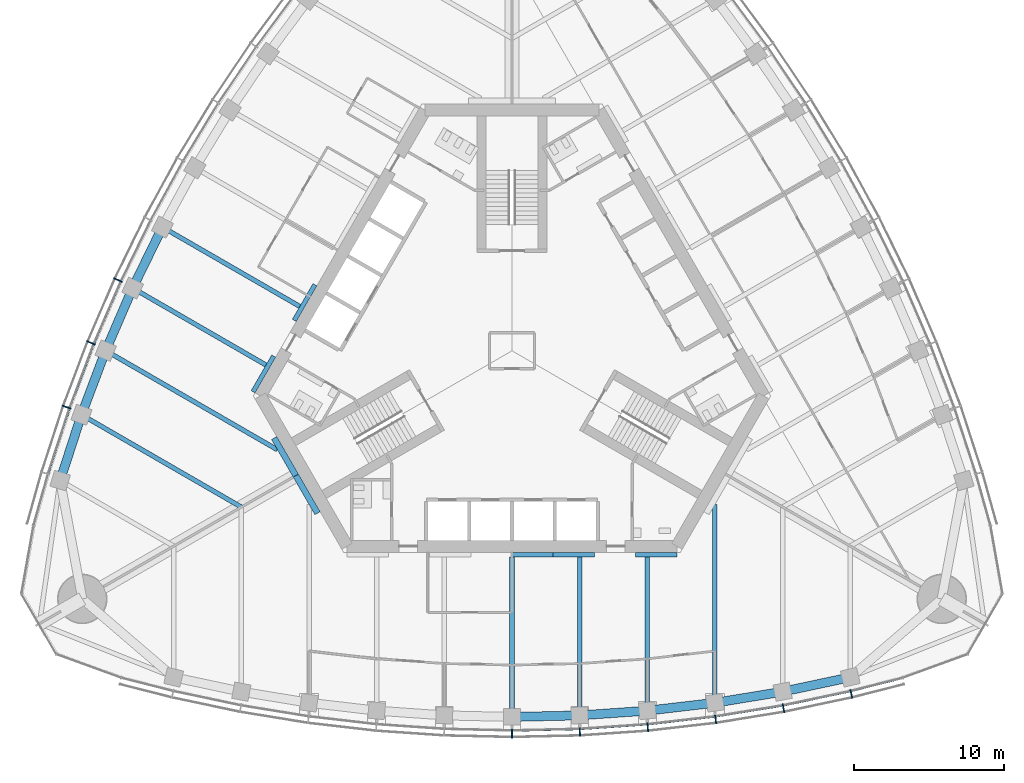
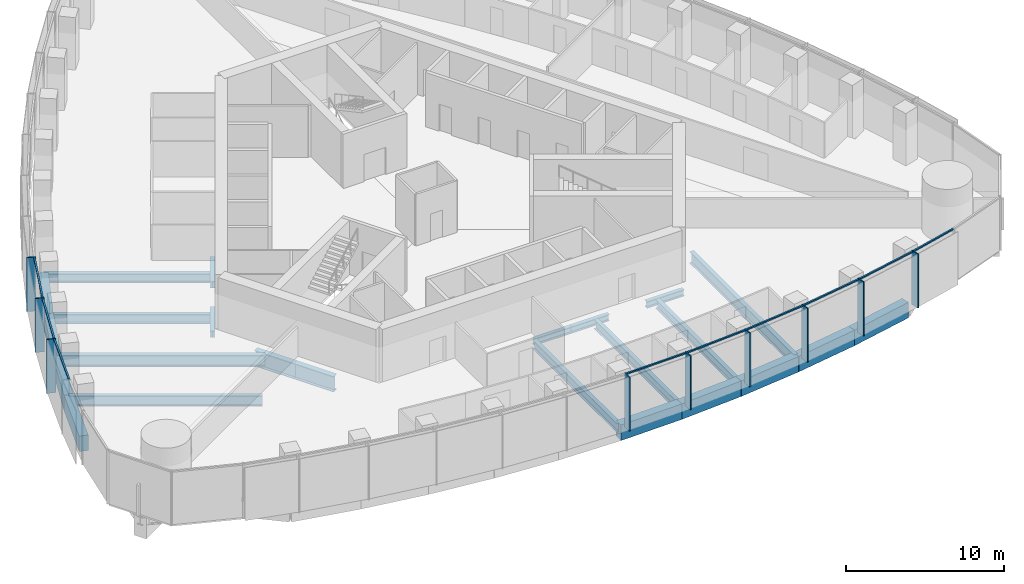
# One storey, part 3 of 20: 24 beams, 18 members, 2 elements without a shape of their own.
"""IFC4 building model written with IfcOpenShell, lengths in metres."""

from ifc_helpers import new_model, si_unit, direction, frame, origin, origin_2d, place, context, subcontext, project, spatial, rectangle, i_section, extrude, material, material_profile, profile_set, type_object, element, aggregate, save


model = new_model("IFC4")

# Units and contexts
model_context = context("Model", 3, precision=1e-05, world=origin(), true_north=direction((0.0, 1.0)))
body_context = subcontext(model_context, "Body", "Model", "MODEL_VIEW")
ifc_project = project(units=[si_unit("LENGTHUNIT", "METRE"), si_unit("AREAUNIT", "SQUARE_METRE"), si_unit("VOLUMEUNIT", "CUBIC_METRE"), si_unit("PLANEANGLEUNIT", "RADIAN"), si_unit("MASSUNIT", "GRAM", prefix="KILO")], contexts=[model_context])

# Site, building, storey
site_placement = place(None, origin())
site = spatial("IfcSite", under=ifc_project, at=site_placement, CompositionType="ELEMENT")
building_placement = place(site_placement, origin())
building = spatial("IfcBuilding", under=site, at=building_placement, Name="Trefoil Bronze Tower", CompositionType="ELEMENT")
storey_placement = place(building_placement, frame((0.0, 0.0, 210.699951171875)))
storey = spatial("IfcBuildingStorey", under=building, at=storey_placement, Name="L48", CompositionType="ELEMENT", Elevation=210.699951171875)

# Curtain wall, members
ifc_material_1 = material(Name="Tinted solar-control glass", Category="glass")
curtain_wall_type = type_object("IfcCurtainWallType", Name="Bronze office curtain wall", PredefinedType="USERDEFINED", material=ifc_material_1)
curtain_wall_1_placement = place(storey_placement, origin())
curtain_wall_1 = element("IfcCurtainWall", 1, at=curtain_wall_1_placement, inside=storey, type_object=curtain_wall_type, Name="CW-A L48 F1", ObjectType="CURTAIN WALL", PredefinedType="USERDEFINED")
ifc_material_2 = material(Name="Bronze-finish aluminium", Category="aluminium")
ifc_material_profile_1 = material_profile(ifc_material_2, rectangle(XDim=0.60009765625, YDim=0.080078125, at=origin_2d()), Name="CW-A mullion")
ifc_profile_set_1 = profile_set([ifc_material_profile_1], Name="Bronze-finish aluminium")
member_type_1 = type_object("IfcMemberType", Name="Bronze office curtain wall mullion", PredefinedType="MULLION", material=ifc_profile_set_1)
member_1_placement = place(storey_placement, frame((0.0, -25.45068359375, 0.0), z_axis=(0.0, 0.0, 1.0), x_axis=(0.0, 1.0, 0.0)))
member_1 = element("IfcMember", 2, at=member_1_placement, type_object=member_type_1, Name="CW-A L48 F1 mullion 7", PredefinedType="MULLION", context=body_context, shape_type="SweptSolid", body=[
    extrude(rectangle(XDim=0.60009765625, YDim=0.080078125, at=origin_2d()), origin(), (0.0, 0.0, 1.0), 4.179931640625),
])
member_2_placement = place(storey_placement, frame((4.513671875, -25.346923828125, 0.0), z_axis=(0.0, 0.0, 1.0), x_axis=(-0.045955542372, 0.998943485952, 0.0)))
member_2 = element("IfcMember", 3, at=member_2_placement, type_object=member_type_1, Name="CW-A L48 F1 mullion 8", PredefinedType="MULLION", context=body_context, shape_type="SweptSolid", body=[
    extrude(rectangle(XDim=0.60009765625, YDim=0.080078125, at=origin_2d()), origin(), (0.0, 0.0, 1.0), 4.179931640625),
])
member_3_placement = place(storey_placement, frame((9.027587890625, -25.03515625, 0.0), z_axis=(0.0, 0.0, 1.0), x_axis=(-0.091911396394, 0.995767189263, 0.0)))
member_3 = element("IfcMember", 4, at=member_3_placement, type_object=member_type_1, Name="CW-A L48 F1 mullion 9", PredefinedType="MULLION", context=body_context, shape_type="SweptSolid", body=[
    extrude(rectangle(XDim=0.60009765625, YDim=0.080078125, at=origin_2d()), origin(), (0.0, 0.0, 1.0), 4.179931640625),
])
member_4_placement = place(storey_placement, frame((13.541259765625, -24.51318359375, 0.0), z_axis=(0.0, 0.0, 1.0), x_axis=(-0.137867887204, 0.990450627582, 0.0)))
member_4 = element("IfcMember", 5, at=member_4_placement, type_object=member_type_1, Name="CW-A L48 F1 mullion 10", PredefinedType="MULLION", context=body_context, shape_type="SweptSolid", body=[
    extrude(rectangle(XDim=0.60009765625, YDim=0.080078125, at=origin_2d()), origin(), (0.0, 0.0, 1.0), 4.179931640625),
])
member_5_placement = place(storey_placement, frame((18.05517578125, -23.77783203125, 0.0), z_axis=(0.0, 0.0, 1.0), x_axis=(-0.183825368167, 0.982958917767, 0.0)))
member_5 = element("IfcMember", 6, at=member_5_placement, type_object=member_type_1, Name="CW-A L48 F1 mullion 11", PredefinedType="MULLION", context=body_context, shape_type="SweptSolid", body=[
    extrude(rectangle(XDim=0.60009765625, YDim=0.080078125, at=origin_2d()), origin(), (0.0, 0.0, 1.0), 4.179931640625),
])
member_6_placement = place(storey_placement, frame((22.568115234375, -22.82421875, 0.0), z_axis=(0.0, 0.0, 1.0), x_axis=(-0.227082662569, 0.973875487093, 0.0)))
member_6 = element("IfcMember", 7, at=member_6_placement, type_object=member_type_1, Name="CW-A L48 F1 mullion 12", PredefinedType="MULLION", context=body_context, shape_type="SweptSolid", body=[
    extrude(rectangle(XDim=0.60009765625, YDim=0.080078125, at=origin_2d()), origin(), (0.0, 0.0, 1.0), 4.179931640625),
])

curtain_wall_2_placement = place(storey_placement, origin())
curtain_wall_2 = element("IfcCurtainWall", 8, at=curtain_wall_2_placement, inside=storey, type_object=curtain_wall_type, Name="CW-A L48 F3", ObjectType="CURTAIN WALL", PredefinedType="USERDEFINED")
member_7_placement = place(storey_placement, frame((-26.19482421875, 4.699462890625, 0.0), z_axis=(0.0, 0.0, 1.0), x_axis=(0.908315380354, -0.418285990457, 0.0)))
member_7 = element("IfcMember", 9, at=member_7_placement, type_object=member_type_1, Name="CW-A L48 F3 mullion 9", PredefinedType="MULLION", context=body_context, shape_type="SweptSolid", body=[
    extrude(rectangle(XDim=0.60009765625, YDim=0.080078125, at=origin_2d()), origin(), (0.0, 0.0, 1.0), 4.179931640625),
])
member_8_placement = place(storey_placement, frame((-27.999755859375, 0.529541015625, 0.0), z_axis=(0.0, 0.0, 1.0), x_axis=(0.926689348282, -0.375828221106, 0.0)))
member_8 = element("IfcMember", 10, at=member_8_placement, type_object=member_type_1, Name="CW-A L48 F3 mullion 10", PredefinedType="MULLION", context=body_context, shape_type="SweptSolid", body=[
    extrude(rectangle(XDim=0.60009765625, YDim=0.080078125, at=origin_2d()), origin(), (0.0, 0.0, 1.0), 4.179931640625),
])
member_9_placement = place(storey_placement, frame((-29.619873046875, -3.747314453125, 0.0), z_axis=(0.0, 0.0, 1.0), x_axis=(0.943180077746, -0.332282020191, 0.0)))
member_9 = element("IfcMember", 11, at=member_9_placement, type_object=member_type_1, Name="CW-A L48 F3 mullion 11", PredefinedType="MULLION", context=body_context, shape_type="SweptSolid", body=[
    extrude(rectangle(XDim=0.60009765625, YDim=0.080078125, at=origin_2d()), origin(), (0.0, 0.0, 1.0), 4.179931640625),
])

# Member
ifc_material_3 = material(Name="Bronze-finish aluminium", Category="aluminium")
ifc_material_profile_2 = material_profile(ifc_material_3, rectangle(XDim=0.1201171875, YDim=0.10009765625, at=origin_2d()), Name="CW-A transom")
ifc_profile_set_2 = profile_set([ifc_material_profile_2], Name="Bronze-finish aluminium")
member_type_2 = type_object("IfcMemberType", Name="Bronze office curtain wall transom", PredefinedType="USERDEFINED", material=ifc_profile_set_2)
member_10_placement = place(storey_placement, frame((0.042236328125, -25.249755859375, 4.130126953125), z_axis=(0.999736131416, 0.022971015226, 0.0), x_axis=(-0.022971015226, 0.999736131416, 0.0)))
member_10 = element("IfcMember", 12, at=member_10_placement, type_object=member_type_2, Name="CW-A L48 F1 transom 7", ObjectType="TRANSOM", PredefinedType="USERDEFINED", context=body_context, shape_type="SweptSolid", body=[
    extrude(rectangle(XDim=0.1201171875, YDim=0.10009765625, at=origin_2d()), origin(), (0.0, 0.0, 1.0), 4.42138671875),
])

member_11_placement = place(storey_placement, frame((4.546875, -25.144287109375, 4.130126953125), z_axis=(0.997621320987, 0.06893257512, 0.0), x_axis=(-0.06893257512, 0.997621320987, 0.0)))
member_11 = element("IfcMember", 13, at=member_11_placement, type_object=member_type_2, Name="CW-A L48 F1 transom 8", ObjectType="TRANSOM", PredefinedType="USERDEFINED", context=body_context, shape_type="SweptSolid", body=[
    extrude(rectangle(XDim=0.1201171875, YDim=0.10009765625, at=origin_2d()), origin(), (0.0, 0.0, 1.0), 4.4306640625),
])

member_12_placement = place(storey_placement, frame((9.05126953125, -24.8310546875, 4.130126953125), z_axis=(0.993384885596, 0.114832352013, 0.0), x_axis=(-0.114832352013, 0.993384885596, 0.0)))
member_12 = element("IfcMember", 14, at=member_12_placement, type_object=member_type_2, Name="CW-A L48 F1 transom 9", ObjectType="TRANSOM", PredefinedType="USERDEFINED", context=body_context, shape_type="SweptSolid", body=[
    extrude(rectangle(XDim=0.1201171875, YDim=0.10009765625, at=origin_2d()), origin(), (0.0, 0.0, 1.0), 4.449951171875),
])

member_13_placement = place(storey_placement, frame((13.5556640625, -24.308349609375, 4.130126953125), z_axis=(0.986988367046, 0.160791676761, 0.0), x_axis=(-0.160791676761, 0.986988367046, 0.0)))
member_13 = element("IfcMember", 15, at=member_13_placement, type_object=member_type_2, Name="CW-A L48 F1 transom 10", ObjectType="TRANSOM", PredefinedType="USERDEFINED", context=body_context, shape_type="SweptSolid", body=[
    extrude(rectangle(XDim=0.1201171875, YDim=0.10009765625, at=origin_2d()), origin(), (0.0, 0.0, 1.0), 4.479248046875),
])

member_14_placement = place(storey_placement, frame((18.059814453125, -23.572509765625, 4.130126953125), z_axis=(0.978395325657, 0.20674280334, 0.0), x_axis=(-0.20674280334, 0.978395325657, 0.0)))
member_14 = element("IfcMember", 16, at=member_14_placement, type_object=member_type_2, Name="CW-A L48 F1 transom 11", ObjectType="TRANSOM", PredefinedType="USERDEFINED", context=body_context, shape_type="SweptSolid", body=[
    extrude(rectangle(XDim=0.1201171875, YDim=0.10009765625, at=origin_2d()), origin(), (0.0, 0.0, 1.0), 4.519287109375),
])

member_15_placement = place(storey_placement, frame((22.5634765625, -22.618896484375, 4.130126953125), z_axis=(0.968935220916, 0.247314653162, 0.0), x_axis=(-0.247314653162, 0.968935220916, 0.0)))
member_15 = element("IfcMember", 17, at=member_15_placement, type_object=member_type_2, Name="CW-A L48 F1 transom 12", ObjectType="TRANSOM", PredefinedType="USERDEFINED", context=body_context, shape_type="SweptSolid", body=[
    extrude(rectangle(XDim=0.1201171875, YDim=0.10009765625, at=origin_2d()), origin(), (0.0, 0.0, 1.0), 3.483642578125),
])

aggregate(curtain_wall_1, [member_1, member_2, member_3, member_4, member_5, member_6, member_10, member_11, member_12, member_13, member_14, member_15])

member_16_placement = place(storey_placement, frame((-26.030029296875, 4.576904296875, 4.130126953125), z_axis=(-0.397220936772, -0.917723012346, 0.0), x_axis=(0.917723012346, -0.397220936772, 0.0)))
member_16 = element("IfcMember", 18, at=member_16_placement, type_object=member_type_2, Name="CW-A L48 F3 transom 9", ObjectType="TRANSOM", PredefinedType="USERDEFINED", context=body_context, shape_type="SweptSolid", body=[
    extrude(rectangle(XDim=0.1201171875, YDim=0.10009765625, at=origin_2d()), origin(), (0.0, 0.0, 1.0), 4.449951171875),
])

member_17_placement = place(storey_placement, frame((-27.829345703125, 0.414794921875, 4.130126953125), z_axis=(-0.354263170896, -0.935145767112, 0.0), x_axis=(0.935145767112, -0.354263170896, 0.0)))
member_17 = element("IfcMember", 19, at=member_17_placement, type_object=member_type_2, Name="CW-A L48 F3 transom 10", ObjectType="TRANSOM", PredefinedType="USERDEFINED", context=body_context, shape_type="SweptSolid", body=[
    extrude(rectangle(XDim=0.1201171875, YDim=0.10009765625, at=origin_2d()), origin(), (0.0, 0.0, 1.0), 4.4794921875),
])

member_18_placement = place(storey_placement, frame((-29.4443359375, -3.85400390625, 4.130126953125), z_axis=(-0.310127806788, -0.950694874004, 0.0), x_axis=(0.950694874004, -0.310127806788, 0.0)))
member_18 = element("IfcMember", 20, at=member_18_placement, type_object=member_type_2, Name="CW-A L48 F3 transom 11", ObjectType="TRANSOM", PredefinedType="USERDEFINED", context=body_context, shape_type="SweptSolid", body=[
    extrude(rectangle(XDim=0.1201171875, YDim=0.10009765625, at=origin_2d()), origin(), (0.0, 0.0, 1.0), 4.51953125),
])

aggregate(curtain_wall_2, [member_7, member_8, member_9, member_16, member_17, member_18])

# Beams
ifc_material_4 = material(Name="Steel C355", Category="steel")
ifc_material_profile_3 = material_profile(ifc_material_4, i_section(OverallWidth=0.300048828125, OverallDepth=0.5, WebThickness=0.014404296875, FlangeThickness=0.028076171875, FilletRadius=0.027099609375, at=origin_2d()), Name="HEB 500")
ifc_profile_set_3 = profile_set([ifc_material_profile_3], Name="Steel C355")
beam_type_1 = type_object("IfcBeamType", Name="Core seat beam HEB 500", PredefinedType="BEAM", material=ifc_profile_set_3)
for number, where, z_axis, x_axis, name in (
    (21, (0.0, -13.550048828125, -0.449951171875), (1.0, 0.0, 0.0), (0.0, 1.0, 0.0), "Core seat beam F1/+0 L48"),
    (22, (2.742431640625, -13.550048828125, -0.449951171875), (1.0, 0.0, 0.0), (0.0, 1.0, 0.0), "Core seat beam F1/+1 L48"),
    (23, (8.227294921875, -13.550048828125, -0.449951171875), (1.0, 0.0, 0.0), (0.0, 1.0, 0.0), "Core seat beam F1/+2 L48"),
    (24, (-13.10595703125, 4.39990234375, -0.449951171875), (-0.499969057507, -0.866043267704, 0.0), (0.866043267704, -0.499969057507, 0.0), "Core seat beam F3/+1 L48"),
    (25, (-15.84814453125, -0.35009765625, -0.449951171875), (-0.500035825175, -0.866004719122, 0.0), (0.866004719122, -0.500035825175, 0.0), "Core seat beam F3/+2 L48"),
):
    element("IfcBeam", number, at=place(storey_placement, frame(where, z_axis=z_axis, x_axis=x_axis)), inside=storey, type_object=beam_type_1, Name=name, PredefinedType="BEAM", context=body_context, shape_type="SweptSolid", body=[
        extrude(i_section(OverallWidth=0.300048828125, OverallDepth=0.5, WebThickness=0.014404296875, FlangeThickness=0.028076171875, FilletRadius=0.027099609375, at=origin_2d()), origin(), (0.0, 0.0, 1.0), 2.742431640625),
    ])
ifc_material_5 = material(Name="Steel C355", Category="steel")
ifc_material_profile_4 = material_profile(ifc_material_5, i_section(OverallWidth=0.39990234375, OverallDepth=1.199951171875, WebThickness=0.02001953125, FlangeThickness=0.0400390625, FilletRadius=0.010009765625, at=origin_2d()), Name="WPG 1200")
ifc_profile_set_4 = profile_set([ifc_material_profile_4], Name="Steel C355")
beam_type_2 = type_object("IfcBeamType", Name="Core seat beam WPG 1200", PredefinedType="BEAM", material=ifc_profile_set_4)
for number, where, z_axis, x_axis, name in (
    (26, (-14.3759765625, -8.300048828125, -0.800048828125), (0.499995765644, -0.866027848477, 0.0), (0.866027848477, 0.499995765644, 0.0), "Core seat beam F1/-3 L48"),
    (27, (-15.8193359375, -5.800048828125, -0.800048828125), (0.499995765644, -0.866027848477, 0.0), (0.866027848477, 0.499995765644, 0.0), "Core seat beam F3/+3 L48"),
):
    element("IfcBeam", number, at=place(storey_placement, frame(where, z_axis=z_axis, x_axis=x_axis)), inside=storey, type_object=beam_type_2, Name=name, PredefinedType="BEAM", context=body_context, shape_type="SweptSolid", body=[
        extrude(i_section(OverallWidth=0.39990234375, OverallDepth=1.199951171875, WebThickness=0.02001953125, FlangeThickness=0.0400390625, FilletRadius=0.010009765625, at=origin_2d()), origin(), (0.0, 0.0, 1.0), 2.88671875),
    ])
ifc_material_6 = material(Name="Steel C355", Category="steel")
ifc_material_profile_5 = material_profile(ifc_material_6, i_section(OverallWidth=0.300048828125, OverallDepth=0.699951171875, WebThickness=0.01708984375, FlangeThickness=0.031982421875, FilletRadius=0.027099609375, at=origin_2d()), Name="HEB 700")
ifc_profile_set_5 = profile_set([ifc_material_profile_5], Name="Steel C355")
beam_type_3 = type_object("IfcBeamType", Name="Floor beam HEB 700", PredefinedType="BEAM", material=ifc_profile_set_5)
beam_1_placement = place(storey_placement, frame((0.0, -24.3505859375, -0.550048828125), z_axis=(0.0, 1.0, 0.0), x_axis=(-1.0, 0.0, 0.0)))
element("IfcBeam", 28, at=beam_1_placement, inside=storey, type_object=beam_type_3, Name="Floor beam F1/+0 L48", PredefinedType="BEAM", context=body_context, shape_type="SweptSolid", body=[
    extrude(i_section(OverallWidth=0.300048828125, OverallDepth=0.699951171875, WebThickness=0.01708984375, FlangeThickness=0.031982421875, FilletRadius=0.027099609375, at=origin_2d()), origin(), (0.0, 0.0, 1.0), 10.650634765625),
])
beam_2_placement = place(storey_placement, frame((4.5, -24.246337890625, -0.550048828125), z_axis=(0.0, 1.0, 0.0), x_axis=(-1.0, 0.0, 0.0)))
element("IfcBeam", 29, at=beam_2_placement, inside=storey, type_object=beam_type_3, Name="Floor beam F1/+1 L48", PredefinedType="BEAM", context=body_context, shape_type="SweptSolid", body=[
    extrude(i_section(OverallWidth=0.300048828125, OverallDepth=0.699951171875, WebThickness=0.01708984375, FlangeThickness=0.031982421875, FilletRadius=0.027099609375, at=origin_2d()), origin(), (0.0, 0.0, 1.0), 10.54638671875),
])
beam_3_placement = place(storey_placement, frame((9.0, -23.932861328125, -0.550048828125), z_axis=(0.0, 1.0, 0.0), x_axis=(-1.0, 0.0, 0.0)))
element("IfcBeam", 30, at=beam_3_placement, inside=storey, type_object=beam_type_3, Name="Floor beam F1/+2 L48", PredefinedType="BEAM", context=body_context, shape_type="SweptSolid", body=[
    extrude(i_section(OverallWidth=0.300048828125, OverallDepth=0.699951171875, WebThickness=0.01708984375, FlangeThickness=0.031982421875, FilletRadius=0.027099609375, at=origin_2d()), origin(), (0.0, 0.0, 1.0), 10.23291015625),
])
beam_4_placement = place(storey_placement, frame((-23.248046875, 8.22607421875, -0.550048828125), z_axis=(0.866027918957, -0.499995643569, 0.0), x_axis=(0.499995643569, 0.866027918957, 0.0)))
element("IfcBeam", 31, at=beam_4_placement, inside=storey, type_object=beam_type_3, Name="Floor beam F3/+1 L48", PredefinedType="BEAM", context=body_context, shape_type="SweptSolid", body=[
    extrude(i_section(OverallWidth=0.300048828125, OverallDepth=0.699951171875, WebThickness=0.01708984375, FlangeThickness=0.031982421875, FilletRadius=0.027099609375, at=origin_2d()), origin(), (0.0, 0.0, 1.0), 10.54638671875),
])
beam_5_placement = place(storey_placement, frame((-25.2265625, 4.17236328125, -0.550048828125), z_axis=(0.866017525653, -0.500013645076, 0.0), x_axis=(0.500013645076, 0.866017525653, 0.0)))
element("IfcBeam", 32, at=beam_5_placement, inside=storey, type_object=beam_type_3, Name="Floor beam F3/+2 L48", PredefinedType="BEAM", context=body_context, shape_type="SweptSolid", body=[
    extrude(i_section(OverallWidth=0.300048828125, OverallDepth=0.699951171875, WebThickness=0.01708984375, FlangeThickness=0.031982421875, FilletRadius=0.027099609375, at=origin_2d()), origin(), (0.0, 0.0, 1.0), 10.233154296875),
])
ifc_material_7 = material(Name="Steel C355", Category="steel")
ifc_material_profile_6 = material_profile(ifc_material_7, i_section(OverallWidth=0.300048828125, OverallDepth=0.800048828125, WebThickness=0.017578125, FlangeThickness=0.032958984375, FilletRadius=0.030029296875, at=origin_2d()), Name="HEB 800")
ifc_profile_set_6 = profile_set([ifc_material_profile_6], Name="Steel C355")
beam_type_4 = type_object("IfcBeamType", Name="Floor beam HEB 800", PredefinedType="BEAM", material=ifc_profile_set_6)
beam_6_placement = place(storey_placement, frame((-28.632080078125, -4.25390625, -0.599853515625), z_axis=(0.866025635187, -0.499999599199, 0.0), x_axis=(0.499999599199, 0.866025635187, 0.0)))
element("IfcBeam", 33, at=beam_6_placement, inside=storey, type_object=beam_type_4, Name="Floor beam F3/+4 L48", PredefinedType="BEAM", context=body_context, shape_type="SweptSolid", body=[
    extrude(i_section(OverallWidth=0.300048828125, OverallDepth=0.800048828125, WebThickness=0.017578125, FlangeThickness=0.032958984375, FilletRadius=0.030029296875, at=origin_2d()), origin(), (0.0, 0.0, 1.0), 12.27685546875),
])
ifc_material_8 = material(Name="Steel C355", Category="steel")
ifc_material_profile_7 = material_profile(ifc_material_8, i_section(OverallWidth=0.300048828125, OverallDepth=0.89990234375, WebThickness=0.0185546875, FlangeThickness=0.034912109375, FilletRadius=0.030029296875, at=origin_2d()), Name="HEB 900")
ifc_profile_set_7 = profile_set([ifc_material_profile_7], Name="Steel C355")
beam_type_5 = type_object("IfcBeamType", Name="Floor beam HEB 900", PredefinedType="BEAM", material=ifc_profile_set_7)
for number, where, z_axis, x_axis, name in (
    (34, (13.5, -23.408447265625, -0.64990234375), (0.0, 1.0, 0.0), (-1.0, 0.0, 0.0), "Floor beam F1/+3 L48"),
    (35, (-27.022216796875, 0.012939453125, -0.64990234375), (0.866020385251, -0.500008692254, 0.0), (0.500008692254, 0.866020385251, 0.0), "Floor beam F3/+3 L48"),
):
    element("IfcBeam", number, at=place(storey_placement, frame(where, z_axis=z_axis, x_axis=x_axis)), inside=storey, type_object=beam_type_5, Name=name, PredefinedType="BEAM", context=body_context, shape_type="SweptSolid", body=[
        extrude(i_section(OverallWidth=0.300048828125, OverallDepth=0.89990234375, WebThickness=0.0185546875, FlangeThickness=0.034912109375, FilletRadius=0.030029296875, at=origin_2d()), origin(), (0.0, 0.0, 1.0), 13.191162109375),
    ])
ifc_material_9 = material(Name="Concrete B80", Category="concrete")
ifc_material_profile_8 = material_profile(ifc_material_9, rectangle(XDim=0.60009765625, YDim=1.199951171875, at=origin_2d()), Name="RC 600x1200")
ifc_profile_set_8 = profile_set([ifc_material_profile_8], Name="Concrete B80")
beam_type_6 = type_object("IfcBeamType", Name="Spandrel beam RC 600x1200", PredefinedType="SPANDREL", material=ifc_profile_set_8)
beam_7_placement = place(storey_placement, frame((0.0, -24.3505859375, -0.800048828125), z_axis=(0.999731770792, 0.023160018779, 0.0), x_axis=(-0.023160018779, 0.999731770792, 0.0)))
element("IfcBeam", 36, at=beam_7_placement, inside=storey, type_object=beam_type_6, Name="Spandrel F1.7 L48", PredefinedType="SPANDREL", context=body_context, shape_type="SweptSolid", body=[
    extrude(rectangle(XDim=0.60009765625, YDim=1.199951171875, at=origin_2d()), origin(), (0.0, 0.0, 1.0), 4.501220703125),
])
beam_8_placement = place(storey_placement, frame((4.5, -24.246337890625, -0.800048828125), z_axis=(0.997582435881, 0.069493047291, 0.0), x_axis=(-0.069493047291, 0.997582435881, 0.0)))
element("IfcBeam", 37, at=beam_8_placement, inside=storey, type_object=beam_type_6, Name="Spandrel F1.8 L48", PredefinedType="SPANDREL", context=body_context, shape_type="SweptSolid", body=[
    extrude(rectangle(XDim=0.60009765625, YDim=1.199951171875, at=origin_2d()), origin(), (0.0, 0.0, 1.0), 4.510986328125),
])
beam_9_placement = place(storey_placement, frame((9.0, -23.932861328125, -0.800048828125), z_axis=(0.993278017132, 0.115753102257, 0.0), x_axis=(-0.115753102257, 0.993278017132, 0.0)))
element("IfcBeam", 38, at=beam_9_placement, inside=storey, type_object=beam_type_6, Name="Spandrel F1.9 L48", PredefinedType="SPANDREL", context=body_context, shape_type="SweptSolid", body=[
    extrude(rectangle(XDim=0.60009765625, YDim=1.199951171875, at=origin_2d()), origin(), (0.0, 0.0, 1.0), 4.530517578125),
])
beam_10_placement = place(storey_placement, frame((13.5, -23.408447265625, -0.800048828125), z_axis=(0.986764681833, 0.162158757664, 0.0), x_axis=(-0.162158757664, 0.986764681833, 0.0)))
element("IfcBeam", 39, at=beam_10_placement, inside=storey, type_object=beam_type_6, Name="Spandrel F1.10 L48", PredefinedType="SPANDREL", context=body_context, shape_type="SweptSolid", body=[
    extrude(rectangle(XDim=0.60009765625, YDim=1.199951171875, at=origin_2d()), origin(), (0.0, 0.0, 1.0), 4.560302734375),
])
beam_11_placement = place(storey_placement, frame((18.0, -22.6689453125, -0.800048828125), z_axis=(0.978059483036, 0.208325820877, 0.0), x_axis=(-0.208325820877, 0.978059483036, 0.0)))
element("IfcBeam", 40, at=beam_11_placement, inside=storey, type_object=beam_type_6, Name="Spandrel F1.11 L48", PredefinedType="SPANDREL", context=body_context, shape_type="SweptSolid", body=[
    extrude(rectangle(XDim=0.60009765625, YDim=1.199951171875, at=origin_2d()), origin(), (0.0, 0.0, 1.0), 4.600830078125),
])
beam_12_placement = place(storey_placement, frame((-23.248046875, 8.22607421875, -0.800048828125), z_axis=(-0.438619830351, -0.898672712629, 0.0), x_axis=(0.898672712629, -0.438619830351, 0.0)))
element("IfcBeam", 41, at=beam_12_placement, inside=storey, type_object=beam_type_6, Name="Spandrel F3.8 L48", PredefinedType="SPANDREL", context=body_context, shape_type="SweptSolid", body=[
    extrude(rectangle(XDim=0.60009765625, YDim=1.199951171875, at=origin_2d()), origin(), (0.0, 0.0, 1.0), 4.5107421875),
])
beam_13_placement = place(storey_placement, frame((-25.2265625, 4.17236328125, -0.800048828125), z_axis=(-0.396350337164, -0.918099346602, 0.0), x_axis=(0.918099346602, -0.396350337164, 0.0)))
element("IfcBeam", 42, at=beam_13_placement, inside=storey, type_object=beam_type_6, Name="Spandrel F3.9 L48", PredefinedType="SPANDREL", context=body_context, shape_type="SweptSolid", body=[
    extrude(rectangle(XDim=0.60009765625, YDim=1.199951171875, at=origin_2d()), origin(), (0.0, 0.0, 1.0), 4.530517578125),
])
beam_14_placement = place(storey_placement, frame((-27.022216796875, 0.012939453125, -0.800048828125), z_axis=(-0.353005969632, -0.935621069346, 0.0), x_axis=(0.935621069346, -0.353005969632, 0.0)))
element("IfcBeam", 43, at=beam_14_placement, inside=storey, type_object=beam_type_6, Name="Spandrel F3.10 L48", PredefinedType="SPANDREL", context=body_context, shape_type="SweptSolid", body=[
    extrude(rectangle(XDim=0.60009765625, YDim=1.199951171875, at=origin_2d()), origin(), (0.0, 0.0, 1.0), 4.560546875),
])
beam_15_placement = place(storey_placement, frame((-28.632080078125, -4.25390625, -0.800048828125), z_axis=(-0.308608505504, -0.951189145402, 0.0), x_axis=(0.951189145402, -0.308608505504, 0.0)))
element("IfcBeam", 44, at=beam_15_placement, inside=storey, type_object=beam_type_6, Name="Spandrel F3.11 L48", PredefinedType="SPANDREL", context=body_context, shape_type="SweptSolid", body=[
    extrude(rectangle(XDim=0.60009765625, YDim=1.199951171875, at=origin_2d()), origin(), (0.0, 0.0, 1.0), 4.60107421875),
])

save(model, "model.ifc")
